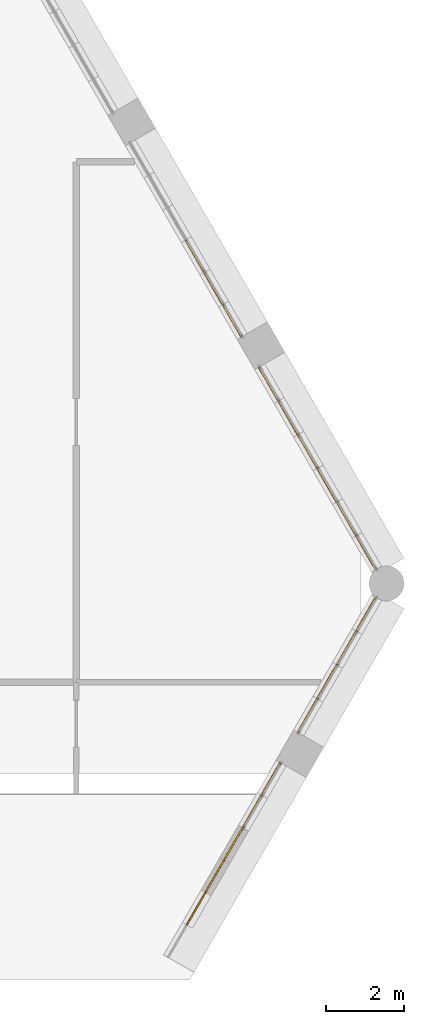
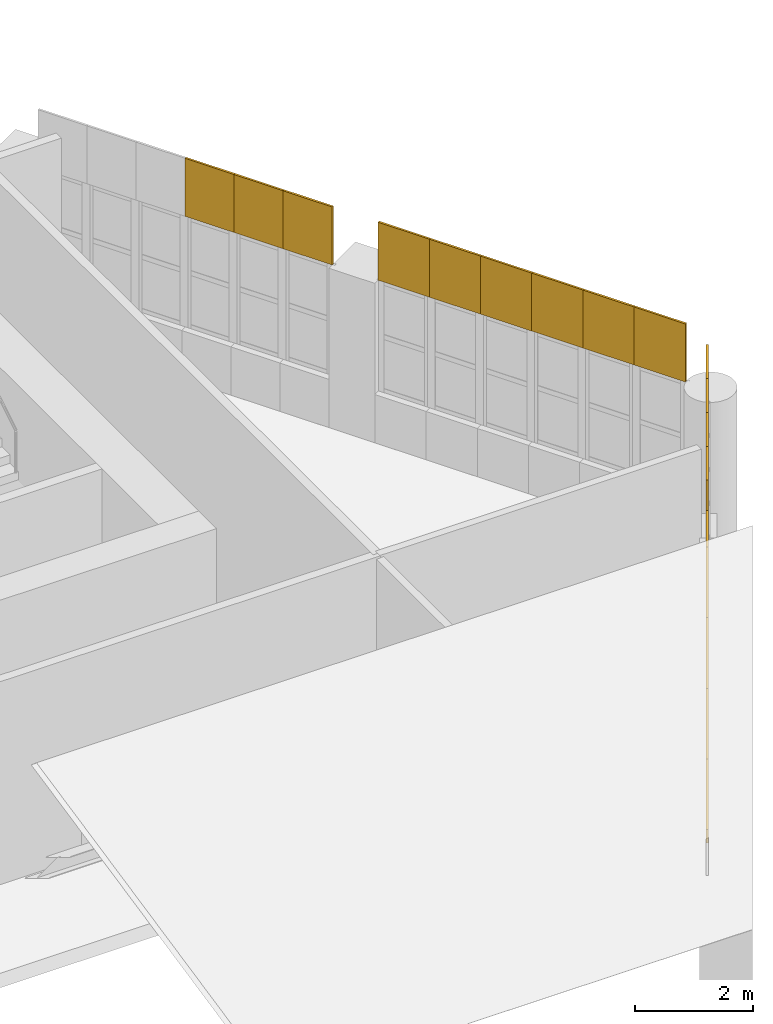
# One storey, part 23 of 23: 18 coverings.
"""IFC4 building model written with IfcOpenShell, lengths in metres."""

from ifc_helpers import new_model, si_unit, direction, frame, origin, place, context, subcontext, project, spatial, polyline, outline, extrude, material, layer, layer_set, type_object, element, save


model = new_model("IFC4")

# Units and contexts
model_context = context("Model", 3, precision=1e-05, world=origin(), true_north=direction((0.0, 1.0)))
body_context = subcontext(model_context, "Body", "Model", "MODEL_VIEW")
ifc_project = project(units=[si_unit("LENGTHUNIT", "METRE"), si_unit("AREAUNIT", "SQUARE_METRE"), si_unit("VOLUMEUNIT", "CUBIC_METRE"), si_unit("PLANEANGLEUNIT", "RADIAN"), si_unit("MASSUNIT", "GRAM", prefix="KILO")], contexts=[model_context])

# Site, building, storey
site_placement = place(None, origin())
site = spatial("IfcSite", under=ifc_project, at=site_placement, CompositionType="ELEMENT")
building_placement = place(site_placement, origin())
building = spatial("IfcBuilding", under=site, at=building_placement, Name="Ostrander Bayou Hotel Tower", CompositionType="ELEMENT")
storey_placement = place(building_placement, frame((0.0, 0.0, 279.5)))
storey = spatial("IfcBuildingStorey", under=building, at=storey_placement, Name="L69", CompositionType="ELEMENT", Elevation=279.5)

# Coverings
ifc_material = material(Name="Reconstituted stone panels", Category="masonry")
ifc_layer = layer(ifc_material, 0.0400390625)
ifc_layer_set = layer_set([ifc_layer], Name="CV3 crown cladding 40 mm")
covering_type = type_object("IfcCoveringType", Name="CV3 crown cladding 40 mm", PredefinedType="CLADDING", material=ifc_layer_set)
covering_1_placement = place(storey_placement, frame((13.3603515625, -9.958984375, 1.0), z_axis=(0.865991719008, -0.500058339205, 0.0), x_axis=(0.500058339205, 0.865991719008, 0.0)))
element("IfcCovering", 1, at=covering_1_placement, inside=storey, type_object=covering_type, Name="CV3 crown fascia L69", PredefinedType="CLADDING", context=body_context, shape_type="SweptSolid", body=[
    extrude(outline(polyline([(0.0, 0.0), (0.964731186698399, 0.0), (0.964731186698399, 1.0620117187500002), (0.0, 0.27514648437500006), (0.0, 0.0)])), origin(), (0.0, 0.0, -1.0), 0.0400390625),
])
covering_2_placement = place(storey_placement, frame((13.8427734375, -9.12353515625, 1.2119140625), z_axis=(0.865991719008, -0.500058339205, 0.0), x_axis=(0.500058339205, 0.865991719008, 0.0)))
element("IfcCovering", 2, at=covering_2_placement, inside=storey, type_object=covering_type, Name="CV3 crown fascia L69", PredefinedType="CLADDING", context=body_context, shape_type="SweptSolid", body=[
    extrude(outline(polyline([(0.0, 0.0), (0.964731186698399, 0.0), (0.964731186698399, 1.6372070312500004), (0.0, 0.8500976562500002), (0.0, 0.0)])), origin(), (0.0, 0.0, -1.0), 0.0400390625),
])
covering_3_placement = place(storey_placement, frame((14.3251953125, -8.2880859375, 1.9990234375), z_axis=(0.866054979466, -0.499948769917, 0.0), x_axis=(0.499948769917, 0.866054979466, 0.0)))
element("IfcCovering", 3, at=covering_3_placement, inside=storey, type_object=covering_type, Name="CV3 crown fascia L69", PredefinedType="CLADDING", context=body_context, shape_type="SweptSolid", body=[
    extrude(outline(polyline([(0.0, 0.0), (0.9649426181809926, 0.0), (0.9649426181809926, 1.636962890625), (0.0, 0.85009765625), (0.0, 0.0)])), origin(), (0.0, 0.0, -1.0), 0.0400390625),
])
covering_4_placement = place(storey_placement, frame((14.8076171875, -7.452392578125, 2.785888671875), z_axis=(0.865991719008, -0.500058339205, 0.0), x_axis=(0.500058339205, 0.865991719008, 0.0)))
element("IfcCovering", 4, at=covering_4_placement, inside=storey, type_object=covering_type, Name="CV3 crown fascia L69", PredefinedType="CLADDING", context=body_context, shape_type="SweptSolid", body=[
    extrude(outline(polyline([(0.0, 0.0), (0.964731186698399, 0.0), (0.964731186698399, 1.6372070312500004), (0.0, 0.8500976562500002), (0.0, 0.0)])), origin(), (0.0, 0.0, -1.0), 0.0400390625),
])
covering_5_placement = place(storey_placement, frame((15.2900390625, -6.616943359375, 3.572998046875), z_axis=(0.865991719008, -0.500058339205, 0.0), x_axis=(0.500058339205, 0.865991719008, 0.0)))
element("IfcCovering", 5, at=covering_5_placement, inside=storey, type_object=covering_type, Name="CV3 crown fascia L69", PredefinedType="CLADDING", context=body_context, shape_type="SweptSolid", body=[
    extrude(outline(polyline([(0.0, 0.0), (0.964731186698399, 0.0), (0.964731186698399, 0.927001953125), (0.0, 0.85009765625), (0.0, 0.0)])), origin(), (0.0, 0.0, -1.0), 0.0400390625),
])
covering_6_placement = place(storey_placement, frame((16.222412109375, -5.001953125, 3.300048828125), z_axis=(0.865958718457, -0.500115484592, 0.0), x_axis=(0.500115484592, 0.865958718457, 0.0)))
element("IfcCovering", 6, at=covering_6_placement, inside=storey, type_object=covering_type, Name="CV3 crown fascia L69", PredefinedType="CLADDING", context=body_context, shape_type="SweptSolid", body=[
    extrude(outline(polyline([(0.0, 0.0), (1.0036744321355686, 0.0), (1.0036744321355686, 1.199951171875), (0.0, 1.199951171875), (0.0, 0.0)])), origin(), (0.0, 0.0, -1.0), 0.0400390625),
])
covering_7_placement = place(storey_placement, frame((16.724365234375, -4.1328125, 3.300048828125), z_axis=(0.866080321209, -0.499904868165, 0.0), x_axis=(0.499904868165, 0.866080321209, 0.0)))
element("IfcCovering", 7, at=covering_7_placement, inside=storey, type_object=covering_type, Name="CV3 crown fascia L69", PredefinedType="CLADDING", context=body_context, shape_type="SweptSolid", body=[
    extrude(outline(polyline([(0.0, 0.0), (1.0040972932354897, 0.0), (1.0040972932354897, 1.199951171875), (0.0, 1.199951171875), (0.0, 0.0)])), origin(), (0.0, 0.0, -1.0), 0.0400390625),
])
covering_8_placement = place(storey_placement, frame((17.226318359375, -3.26318359375, 3.300048828125), z_axis=(0.866064057238, -0.499933044277, 0.0), x_axis=(0.499933044277, 0.866064057238, 0.0)))
element("IfcCovering", 8, at=covering_8_placement, inside=storey, type_object=covering_type, Name="CV3 crown fascia L69", PredefinedType="CLADDING", context=body_context, shape_type="SweptSolid", body=[
    extrude(outline(polyline([(0.0, 0.0), (1.0035523558977801, 0.0), (1.0035523558977801, 1.199951171875), (0.0, 1.199951171875), (0.0, 0.0)])), origin(), (0.0, 0.0, -1.0), 0.0400390625),
])
covering_9_placement = place(storey_placement, frame((17.72802734375, -2.39404296875, 3.300048828125), z_axis=(0.866019539041, -0.500010157896, 0.0), x_axis=(0.500010157896, 0.866019539041, 0.0)))
element("IfcCovering", 9, at=covering_9_placement, inside=storey, type_object=covering_type, Name="CV3 crown fascia L69", PredefinedType="CLADDING", context=body_context, shape_type="SweptSolid", body=[
    extrude(outline(polyline([(0.0, 0.0), (1.0038858552634866, 0.0), (1.0038858552634866, 1.199951171875), (0.0, 1.199951171875), (0.0, 0.0)])), origin(), (0.0, 0.0, -1.0), 0.0400390625),
])
for number, where, z_axis, x_axis, name in (
    (10, (18.22998046875, -0.788330078125, 3.300048828125), (0.866047774678, 0.499961250474, 0.0), (-0.499961250474, 0.866047774678, 0.0), "CV3 crown fascia L69"),
    (11, (17.728515625, 0.080322265625, 3.300048828125), (0.866047774678, 0.499961250474, 0.0), (-0.499961250474, 0.866047774678, 0.0), "CV3 crown fascia L69"),
    (12, (17.22705078125, 0.948974609375, 3.300048828125), (0.866047774678, 0.499961250474, 0.0), (-0.499961250474, 0.866047774678, 0.0), "CV3 crown fascia L69"),
    (13, (16.7255859375, 1.817626953125, 3.300048828125), (0.866047774678, 0.499961250474, 0.0), (-0.499961250474, 0.866047774678, 0.0), "CV3 crown fascia L69"),
):
    element("IfcCovering", number, at=place(storey_placement, frame(where, z_axis=z_axis, x_axis=x_axis)), inside=storey, type_object=covering_type, Name=name, PredefinedType="CLADDING", context=body_context, shape_type="SweptSolid", body=[
        extrude(outline(polyline([(0.0, 0.0), (1.0030074196233945, 0.0), (1.0030074196233945, 1.199951171875), (0.0, 1.199951171875), (0.0, 0.0)])), origin(), (0.0, 0.0, -1.0), 0.0400390625),
    ])
covering_10_placement = place(storey_placement, frame((16.22412109375, 2.686279296875, 3.300048828125), z_axis=(0.865942374699, 0.500143783026, 0.0), x_axis=(-0.500143783026, 0.865942374699, 0.0)))
element("IfcCovering", 14, at=covering_10_placement, inside=storey, type_object=covering_type, Name="CV3 crown fascia L69", PredefinedType="CLADDING", context=body_context, shape_type="SweptSolid", body=[
    extrude(outline(polyline([(0.0, 0.0), (1.0031295027587228, 0.0), (1.0031295027587228, 1.1999511718750002), (0.0, 1.1999511718750002), (0.0, 0.0)])), origin(), (0.0, 0.0, -1.0), 0.0400390625),
])
covering_11_placement = place(storey_placement, frame((15.722412109375, 3.554931640625, 3.300048828125), z_axis=(0.866047774678, 0.499961250474, 0.0), x_axis=(-0.499961250474, 0.866047774678, 0.0)))
element("IfcCovering", 15, at=covering_11_placement, inside=storey, type_object=covering_type, Name="CV3 crown fascia L69", PredefinedType="CLADDING", context=body_context, shape_type="SweptSolid", body=[
    extrude(outline(polyline([(0.0, 0.0), (1.0030074196233945, 0.0), (1.0030074196233945, 1.199951171875), (0.0, 1.199951171875), (0.0, 0.0)])), origin(), (0.0, 0.0, -1.0), 0.0400390625),
])
covering_12_placement = place(storey_placement, frame((14.77099609375, 5.203125, 3.300048828125), z_axis=(0.865948320045, 0.500133489192, 0.0), x_axis=(-0.500133489192, 0.865948320045, 0.0)))
element("IfcCovering", 16, at=covering_12_placement, inside=storey, type_object=covering_type, Name="CV3 crown fascia L69", PredefinedType="CLADDING", context=body_context, shape_type="SweptSolid", body=[
    extrude(outline(polyline([(0.0, 0.0), (0.9597047170860381, 0.0), (0.9597047170860381, 1.199951171875), (0.0, 1.199951171875), (0.0, 0.0)])), origin(), (0.0, 0.0, -1.0), 0.0400390625),
])
covering_13_placement = place(storey_placement, frame((14.291015625, 6.0341796875, 3.300048828125), z_axis=(0.866011930837, 0.500023335103, 0.0), x_axis=(-0.500023335103, 0.866011930837, 0.0)))
element("IfcCovering", 17, at=covering_13_placement, inside=storey, type_object=covering_type, Name="CV3 crown fascia L69", PredefinedType="CLADDING", context=body_context, shape_type="SweptSolid", body=[
    extrude(outline(polyline([(0.0, 0.0), (0.9599161380159561, 0.0), (0.9599161380159561, 1.199951171875), (0.0, 1.199951171875), (0.0, 0.0)])), origin(), (0.0, 0.0, -1.0), 0.0400390625),
])
covering_14_placement = place(storey_placement, frame((13.81103515625, 6.865478515625, 3.300048828125), z_axis=(0.866122057702, 0.499832553123, 0.0), x_axis=(-0.499832553123, 0.866122057702, 0.0)))
element("IfcCovering", 18, at=covering_14_placement, inside=storey, type_object=covering_type, Name="CV3 crown fascia L69", PredefinedType="CLADDING", context=body_context, shape_type="SweptSolid", body=[
    extrude(outline(polyline([(0.0, 0.0), (0.9597940852937448, 0.0), (0.9597940852937448, 1.199951171875), (0.0, 1.199951171875), (0.0, 0.0)])), origin(), (0.0, 0.0, -1.0), 0.0400390625),
])

save(model, "model.ifc")
